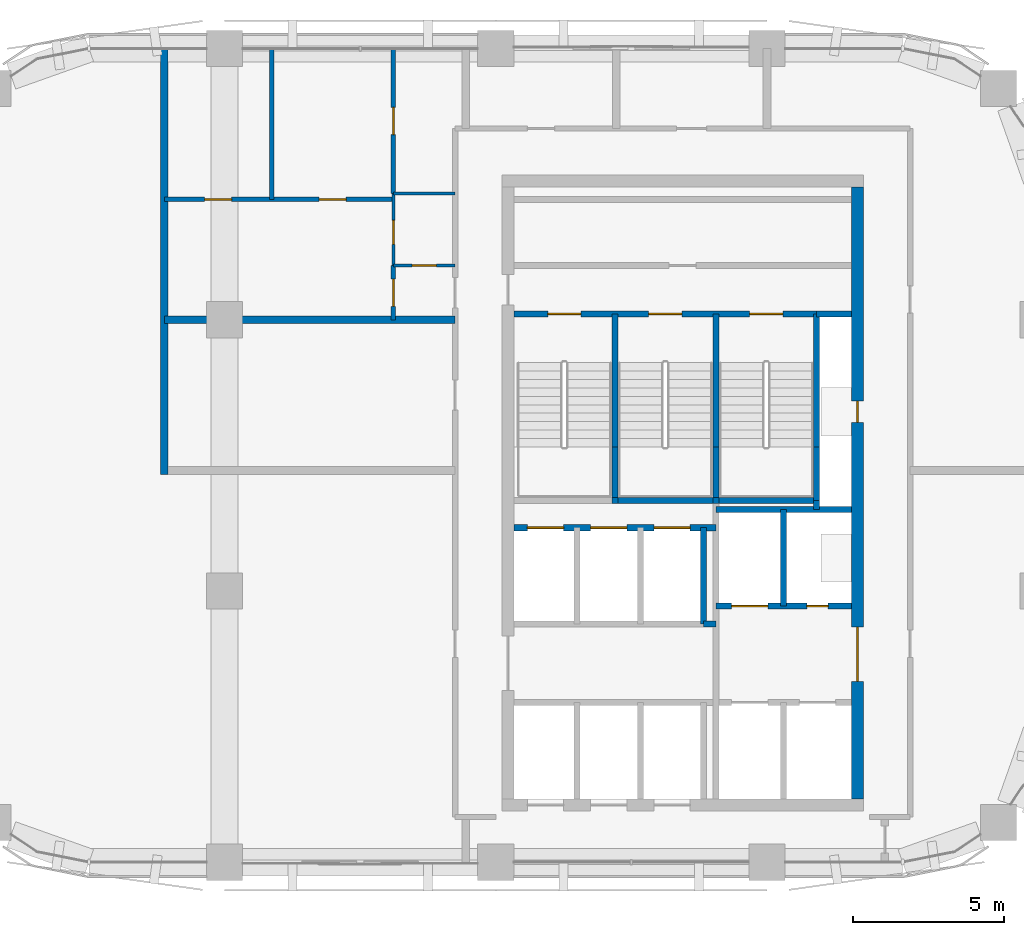
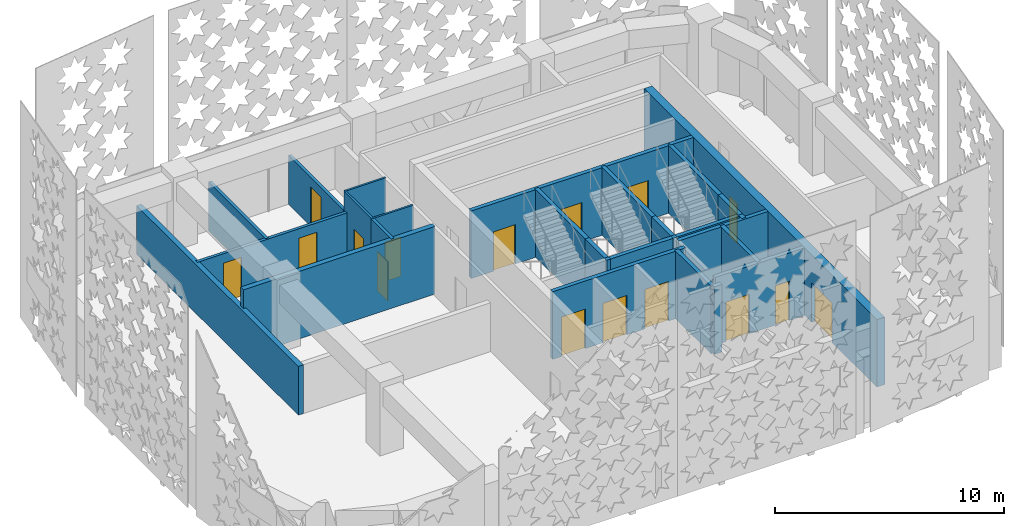
# One storey, part 8 of 15: 29 walls, 16 doors, 16 openings.
"""IFC4 building model written with IfcOpenShell, lengths in metres."""

from ifc_helpers import new_model, si_unit, direction, frame, frame_2d, origin, place, context, subcontext, project, spatial, rectangle, extrude, material, layer, layer_set, type_object, element, fill, save


model = new_model("IFC4")

# Units and contexts
model_context = context("Model", 3, precision=1e-05, world=origin(), true_north=direction((0.0, 1.0)))
body_context = subcontext(model_context, "Body", "Model", "MODEL_VIEW")
ifc_project = project(units=[si_unit("LENGTHUNIT", "METRE"), si_unit("AREAUNIT", "SQUARE_METRE"), si_unit("VOLUMEUNIT", "CUBIC_METRE"), si_unit("PLANEANGLEUNIT", "RADIAN"), si_unit("MASSUNIT", "GRAM", prefix="KILO")], contexts=[model_context])

# Site, building, storey
site_placement = place(None, origin())
site = spatial("IfcSite", under=ifc_project, at=site_placement, CompositionType="ELEMENT")
building_placement = place(site_placement, origin())
building = spatial("IfcBuilding", under=site, at=building_placement, Name="Tessera Arch", CompositionType="ELEMENT")
storey_placement = place(building_placement, frame((0.0, 0.0, 257.89990234375)))
storey = spatial("IfcBuildingStorey", under=building, at=storey_placement, Name="L62", CompositionType="ELEMENT", Elevation=257.89990234375)

# Wall
ifc_material_1 = material(Name="Gypsum board on steel stud", Category="steel")
ifc_layer_1 = layer(ifc_material_1, 0.125)
ifc_layer_set_1 = layer_set([ifc_layer_1], Name="Core partition 125 EI 60")
wall_type_1 = type_object("IfcWallType", Name="Core partition 125 EI 60", PredefinedType="PARTITIONING", material=ifc_layer_set_1)
wall_1_placement = place(storey_placement, frame((42.89990234375, 34.89990234375, 0.0), z_axis=(0.0, 0.0, 1.0), x_axis=(1.0, 0.0, 0.0)))
element("IfcWall", 1, at=wall_1_placement, inside=storey, type_object=wall_type_1, Name="L62 C1 partition wall 18", PredefinedType="PARTITIONING", context=body_context, shape_type="SweptSolid", body=[
    extrude(rectangle(XDim=0.400146484375, YDim=0.199951171875, at=frame_2d((0.2001953125, 0.0))), origin(), (0.0, 0.0, 1.0), 3.60009765625),
])

# Wall, openings, doors
ifc_material_2 = material(Name="Concrete C50/60", Category="concrete")
ifc_layer_2 = layer(ifc_material_2, 0.39990234375)
ifc_layer_set_2 = layer_set([ifc_layer_2], Name="Core shell wall 400 C50-60")
wall_type_2 = type_object("IfcWallType", Name="Core shell wall 400 C50-60", PredefinedType="SHEAR", material=ifc_layer_set_2)
wall_2_placement = place(storey_placement, frame((48.0, 29.10009765625, 0.0), z_axis=(0.0, 0.0, 1.0), x_axis=(0.0, 1.0, 0.0)))
wall_2 = element("IfcWall", 2, at=wall_2_placement, inside=storey, type_object=wall_type_2, Name="L62 C1 core wall E", PredefinedType="SHEAR", context=body_context, shape_type="SweptSolid", body=[
    extrude(rectangle(XDim=20.2998046875, YDim=0.39990234375, at=frame_2d((10.14990234375, 0.0))), origin(), (0.0, 0.0, 1.0), 3.60009765625),
])
opening_1_placement = place(wall_2_placement, frame((12.5, 0.0, 0.0)))
opening_1 = element("IfcOpeningElement", 3, at=opening_1_placement, cuts=wall_2, Name="Opening L62-C14", PredefinedType="OPENING", context=body_context, shape_type="SweptSolid", body=[
    extrude(rectangle(XDim=0.699951171875, YDim=2.10009765625, at=frame_2d((0.35009765625, 1.050048828125))), frame((0.0, 0.2099609375, 0.0), z_axis=(0.0, -1.0, 0.0), x_axis=(1.0, 0.0, 0.0)), (0.0, 0.0, 1.0), 0.419921875),
])
opening_2_placement = place(wall_2_placement, frame((3.89990234375, 0.0, 0.0)))
opening_2 = element("IfcOpeningElement", 4, at=opening_2_placement, cuts=wall_2, Name="Opening L62-C15", PredefinedType="OPENING", context=body_context, shape_type="SweptSolid", body=[
    extrude(rectangle(XDim=1.800048828125, YDim=2.10009765625, at=frame_2d((0.89990234375, 1.050048828125))), frame((0.0, 0.2099609375, 0.0), z_axis=(0.0, -1.0, 0.0), x_axis=(1.0, 0.0, 0.0)), (0.0, 0.0, 1.0), 0.419921875),
])
ifc_material_3 = material(Name="Glazed steel door leaf", Category="steel")
door_type_1 = type_object("IfcDoorType", Name="Lobby double door FD60 1800 x 2100", OperationType="DOUBLE_DOOR_SINGLE_SWING", PredefinedType="DOOR", material=ifc_material_3)
door_1_placement = place(opening_2_placement, origin())
door_1 = element("IfcDoor", 5, at=door_1_placement, inside=storey, type_object=door_type_1, Name="L62 C1 door 15 C15 type D19", OperationType="DOUBLE_DOOR_SINGLE_SWING", OverallHeight=2.10009765625, OverallWidth=1.800048828125, PredefinedType="DOOR", context=body_context, shape_type="SweptSolid", body=[
    extrude(rectangle(XDim=1.800048828125, YDim=2.10009765625, at=frame_2d((0.89990234375, 1.050048828125))), frame((0.0, 0.02490234375, 0.0), z_axis=(0.0, -1.0, 0.0), x_axis=(1.0, 0.0, 0.0)), (0.0, 0.0, 1.0), 0.050048828125),
])
fill(opening_2, door_1)
ifc_material_4 = material(Name="Steel door leaf", Category="steel")
door_type_2 = type_object("IfcDoorType", Name="Service shaft door FD60 700 x 2100", OperationType="SINGLE_SWING_LEFT", PredefinedType="DOOR", material=ifc_material_4)
door_2_placement = place(opening_1_placement, origin())
door_2 = element("IfcDoor", 6, at=door_2_placement, inside=storey, type_object=door_type_2, Name="L62 C1 door 14 C14 type D07", OperationType="SINGLE_SWING_RIGHT", OverallHeight=2.10009765625, OverallWidth=0.699951171875, PredefinedType="DOOR", context=body_context, shape_type="SweptSolid", body=[
    extrude(rectangle(XDim=0.699951171875, YDim=2.10009765625, at=frame_2d((0.35009765625, 1.050048828125))), frame((0.0, 0.02490234375, 0.0), z_axis=(0.0, -1.0, 0.0), x_axis=(1.0, 0.0, 0.0)), (0.0, 0.0, 1.0), 0.050048828125),
])
fill(opening_1, door_2)

ifc_material_5 = material(Name="Gypsum board on steel stud", Category="steel")
ifc_layer_3 = layer(ifc_material_5, 0.14990234375)
ifc_layer_set_3 = layer_set([ifc_layer_3], Name="Partition 150")
wall_type_3 = type_object("IfcWallType", Name="Partition 150", PredefinedType="PARTITIONING", material=ifc_layer_set_3)
wall_3_placement = place(storey_placement, frame((25.0, 49.0, 0.0), z_axis=(0.0, 0.0, 1.0), x_axis=(1.0, 0.0, 0.0)))
wall_3 = element("IfcWall", 7, at=wall_3_placement, inside=storey, type_object=wall_type_3, Name="L62 partition 6", PredefinedType="PARTITIONING", context=body_context, shape_type="SweptSolid", body=[
    extrude(rectangle(XDim=7.60009765625, YDim=0.14990234375, at=frame_2d((3.800048828125, 0.0))), origin(), (0.0, 0.0, 1.0), 2.60009765625),
])
opening_3_placement = place(wall_3_placement, frame((5.135986328125, 0.0, 0.0)))
opening_3 = element("IfcOpeningElement", 8, at=opening_3_placement, cuts=wall_3, Name="Opening L62-D010", PredefinedType="OPENING", context=body_context, shape_type="SweptSolid", body=[
    extrude(rectangle(XDim=0.89990234375, YDim=2.10009765625, at=frame_2d((0.449951171875, 1.050048828125))), frame((0.0, 0.0849609375, 0.0), z_axis=(0.0, -1.0, 0.0), x_axis=(1.0, 0.0, 0.0)), (0.0, 0.0, 1.0), 0.169921875),
])
opening_4_placement = place(wall_3_placement, frame((1.3359375, 0.0, 0.0)))
opening_4 = element("IfcOpeningElement", 9, at=opening_4_placement, cuts=wall_3, Name="Opening L62-D011", PredefinedType="OPENING", context=body_context, shape_type="SweptSolid", body=[
    extrude(rectangle(XDim=0.89990234375, YDim=2.10009765625, at=frame_2d((0.449951171875, 1.050048828125))), frame((0.0, 0.0849609375, 0.0), z_axis=(0.0, -1.0, 0.0), x_axis=(1.0, 0.0, 0.0)), (0.0, 0.0, 1.0), 0.169921875),
])
ifc_material_6 = material(Name="Timber door leaf", Category="wood")
door_type_3 = type_object("IfcDoorType", Name="Room door 900 x 2100", OperationType="SINGLE_SWING_LEFT", PredefinedType="DOOR", material=ifc_material_6)
door_3_placement = place(opening_3_placement, origin())
door_3 = element("IfcDoor", 10, at=door_3_placement, inside=storey, type_object=door_type_3, Name="L62 door D010 type D01", OperationType="SINGLE_SWING_RIGHT", OverallHeight=2.10009765625, OverallWidth=0.89990234375, PredefinedType="DOOR", context=body_context, shape_type="SweptSolid", body=[
    extrude(rectangle(XDim=0.89990234375, YDim=2.10009765625, at=frame_2d((0.449951171875, 1.050048828125))), frame((0.0, 0.02490234375, 0.0), z_axis=(0.0, -1.0, 0.0), x_axis=(1.0, 0.0, 0.0)), (0.0, 0.0, 1.0), 0.050048828125),
])
fill(opening_3, door_3)
door_4_placement = place(opening_4_placement, origin())
door_4 = element("IfcDoor", 11, at=door_4_placement, inside=storey, type_object=door_type_3, Name="L62 door D011 type D01", OperationType="SINGLE_SWING_RIGHT", OverallHeight=2.10009765625, OverallWidth=0.89990234375, PredefinedType="DOOR", context=body_context, shape_type="SweptSolid", body=[
    extrude(rectangle(XDim=0.89990234375, YDim=2.10009765625, at=frame_2d((0.449951171875, 1.050048828125))), frame((0.0, 0.02490234375, 0.0), z_axis=(0.0, -1.0, 0.0), x_axis=(1.0, 0.0, 0.0)), (0.0, 0.0, 1.0), 0.050048828125),
])
fill(opening_4, door_4)

# Wall
wall_4_placement = place(storey_placement, frame((28.572021484375, 49.0, 0.0), z_axis=(0.0, 0.0, 1.0), x_axis=(0.0, 1.0, 0.0)))
element("IfcWall", 12, at=wall_4_placement, inside=storey, type_object=wall_type_3, Name="L62 partition 7", PredefinedType="PARTITIONING", context=body_context, shape_type="SweptSolid", body=[
    extrude(rectangle(XDim=5.0, YDim=0.14990234375, at=frame_2d((2.5, 0.0))), origin(), (0.0, 0.0, 1.0), 2.60009765625),
])

# Wall, opening, door
wall_5_placement = place(storey_placement, frame((32.60009765625, 45.0, 0.0), z_axis=(0.0, 0.0, 1.0), x_axis=(0.0, 1.0, 0.0)))
wall_5 = element("IfcWall", 13, at=wall_5_placement, inside=storey, type_object=wall_type_3, Name="L62 partition 8", PredefinedType="PARTITIONING", context=body_context, shape_type="SweptSolid", body=[
    extrude(rectangle(XDim=1.800048828125, YDim=0.14990234375, at=frame_2d((0.89990234375, 0.0))), origin(), (0.0, 0.0, 1.0), 3.60009765625),
])
opening_5_placement = place(wall_5_placement, frame((0.449951171875, 0.0, 0.0)))
opening_5 = element("IfcOpeningElement", 14, at=opening_5_placement, cuts=wall_5, Name="Opening L62-D006", PredefinedType="OPENING", context=body_context, shape_type="SweptSolid", body=[
    extrude(rectangle(XDim=0.89990234375, YDim=2.10009765625, at=frame_2d((0.449951171875, 1.050048828125))), frame((0.0, 0.0849609375, 0.0), z_axis=(0.0, -1.0, 0.0), x_axis=(1.0, 0.0, 0.0)), (0.0, 0.0, 1.0), 0.169921875),
])
door_5_placement = place(opening_5_placement, origin())
door_5 = element("IfcDoor", 15, at=door_5_placement, inside=storey, type_object=door_type_3, Name="L62 door D006 type D01", OperationType="SINGLE_SWING_LEFT", OverallHeight=2.10009765625, OverallWidth=0.89990234375, PredefinedType="DOOR", context=body_context, shape_type="SweptSolid", body=[
    extrude(rectangle(XDim=0.89990234375, YDim=2.10009765625, at=frame_2d((0.449951171875, 1.050048828125))), frame((0.0, 0.02490234375, 0.0), z_axis=(0.0, -1.0, 0.0), x_axis=(1.0, 0.0, 0.0)), (0.0, 0.0, 1.0), 0.050048828125),
])
fill(opening_5, door_5)

wall_6_placement = place(storey_placement, frame((32.60009765625, 49.199951171875, 0.0), z_axis=(0.0, 0.0, 1.0), x_axis=(0.0, 1.0, 0.0)))
wall_6 = element("IfcWall", 16, at=wall_6_placement, inside=storey, type_object=wall_type_3, Name="L62 partition 9", PredefinedType="PARTITIONING", context=body_context, shape_type="SweptSolid", body=[
    extrude(rectangle(XDim=4.800048828125, YDim=0.14990234375, at=frame_2d((2.39990234375, 0.0))), origin(), (0.0, 0.0, 1.0), 2.60009765625),
])
opening_6_placement = place(wall_6_placement, frame((1.949951171875, 0.0, 0.0)))
opening_6 = element("IfcOpeningElement", 17, at=opening_6_placement, cuts=wall_6, Name="Opening L62-D009", PredefinedType="OPENING", context=body_context, shape_type="SweptSolid", body=[
    extrude(rectangle(XDim=0.89990234375, YDim=2.10009765625, at=frame_2d((0.449951171875, 1.050048828125))), frame((0.0, 0.0849609375, 0.0), z_axis=(0.0, -1.0, 0.0), x_axis=(1.0, 0.0, 0.0)), (0.0, 0.0, 1.0), 0.169921875),
])
door_6_placement = place(opening_6_placement, origin())
door_6 = element("IfcDoor", 18, at=door_6_placement, inside=storey, type_object=door_type_3, Name="L62 door D009 type D01", OperationType="SINGLE_SWING_LEFT", OverallHeight=2.10009765625, OverallWidth=0.89990234375, PredefinedType="DOOR", context=body_context, shape_type="SweptSolid", body=[
    extrude(rectangle(XDim=0.89990234375, YDim=2.10009765625, at=frame_2d((0.449951171875, 1.050048828125))), frame((0.0, 0.02490234375, 0.0), z_axis=(0.0, -1.0, 0.0), x_axis=(1.0, 0.0, 0.0)), (0.0, 0.0, 1.0), 0.050048828125),
])
fill(opening_6, door_6)

# Walls
ifc_material_7 = material(Name="Double gypsum board on twin steel stud with acoustic mineral wool", Category="steel")
ifc_layer_4 = layer(ifc_material_7, 0.25)
ifc_layer_set_4 = layer_set([ifc_layer_4], Name="Party wall 250 EI 60")
wall_type_4 = type_object("IfcWallType", Name="Party wall 250 EI 60", PredefinedType="PARTITIONING", material=ifc_layer_set_4)
wall_7_placement = place(storey_placement, frame((25.0, 45.0, 0.0), z_axis=(0.0, 0.0, 1.0), x_axis=(1.0, 0.0, 0.0)))
element("IfcWall", 19, at=wall_7_placement, inside=storey, type_object=wall_type_4, Name="L62 partition 12", PredefinedType="PARTITIONING", context=body_context, shape_type="SweptSolid", body=[
    extrude(rectangle(XDim=9.64990234375, YDim=0.25, at=frame_2d((4.824951171875, 0.0))), origin(), (0.0, 0.0, 1.0), 3.60009765625),
])
wall_8_placement = place(storey_placement, frame((25.0, 39.875, 0.0), z_axis=(0.0, 0.0, 1.0), x_axis=(0.0, 1.0, 0.0)))
element("IfcWall", 20, at=wall_8_placement, inside=storey, type_object=wall_type_4, Name="L62 partition 13", PredefinedType="PARTITIONING", context=body_context, shape_type="SweptSolid", body=[
    extrude(rectangle(XDim=14.125, YDim=0.25, at=frame_2d((7.0625, 0.0))), origin(), (0.0, 0.0, 1.0), 2.60009765625),
])
ifc_material_8 = material(Name="Concrete C40/50", Category="concrete")
ifc_layer_5 = layer(ifc_material_8, 0.199951171875)
ifc_layer_set_5 = layer_set([ifc_layer_5], Name="Shaft wall 200 EI 120")
wall_type_5 = type_object("IfcWallType", Name="Shaft wall 200 EI 120", PredefinedType="SOLIDWALL", material=ifc_layer_set_5)
wall_9_placement = place(storey_placement, frame((42.89990234375, 34.89990234375, 0.0), z_axis=(0.0, 0.0, 1.0), x_axis=(0.0, 1.0, 0.0)))
element("IfcWall", 21, at=wall_9_placement, inside=storey, type_object=wall_type_5, Name="L62 C1 shaft wall 8", PredefinedType="SOLIDWALL", context=body_context, shape_type="SweptSolid", body=[
    extrude(rectangle(XDim=3.2001953125, YDim=0.199951171875, at=frame_2d((1.60009765625, 0.0))), origin(), (0.0, 0.0, 1.0), 3.60009765625),
])
wall_10_placement = place(storey_placement, frame((45.550048828125, 35.5, 0.0), z_axis=(0.0, 0.0, 1.0), x_axis=(0.0, 1.0, 0.0)))
element("IfcWall", 22, at=wall_10_placement, inside=storey, type_object=wall_type_5, Name="L62 C1 shaft wall 13", PredefinedType="SOLIDWALL", context=body_context, shape_type="SweptSolid", body=[
    extrude(rectangle(XDim=3.199951171875, YDim=0.199951171875, at=frame_2d((1.60009765625, 0.0))), origin(), (0.0, 0.0, 1.0), 3.60009765625),
])
wall_11_placement = place(storey_placement, frame((46.64990234375, 38.699951171875, 0.0), z_axis=(0.0, 0.0, 1.0), x_axis=(0.0, 1.0, 0.0)))
element("IfcWall", 23, at=wall_11_placement, inside=storey, type_object=wall_type_5, Name="L62 C1 shaft wall 14", PredefinedType="SOLIDWALL", context=body_context, shape_type="SweptSolid", body=[
    extrude(rectangle(XDim=0.300048828125, YDim=0.199951171875, at=frame_2d((0.14990234375, 0.0))), origin(), (0.0, 0.0, 1.0), 3.60009765625),
])

# Wall, openings, doors
wall_12_placement = place(storey_placement, frame((43.300048828125, 35.5, 0.0), z_axis=(0.0, 0.0, 1.0), x_axis=(1.0, 0.0, 0.0)))
wall_12 = element("IfcWall", 24, at=wall_12_placement, inside=storey, type_object=wall_type_5, Name="L62 C1 shaft wall 20", PredefinedType="SOLIDWALL", context=body_context, shape_type="SweptSolid", body=[
    extrude(rectangle(XDim=4.5, YDim=0.199951171875, at=frame_2d((2.25, 0.0))), origin(), (0.0, 0.0, 1.0), 3.60009765625),
])
opening_7_placement = place(wall_12_placement, frame((0.52490234375, 0.0, 0.0)))
opening_7 = element("IfcOpeningElement", 25, at=opening_7_placement, cuts=wall_12, Name="Opening L62-C09", PredefinedType="OPENING", context=body_context, shape_type="SweptSolid", body=[
    extrude(rectangle(XDim=1.199951171875, YDim=2.10009765625, at=frame_2d((0.60009765625, 1.050048828125))), frame((0.0, 0.10986328125, 0.0), z_axis=(0.0, -1.0, 0.0), x_axis=(1.0, 0.0, 0.0)), (0.0, 0.0, 1.0), 0.219970703125),
])
opening_8_placement = place(wall_12_placement, frame((3.02490234375, 0.0, 0.0)))
opening_8 = element("IfcOpeningElement", 26, at=opening_8_placement, cuts=wall_12, Name="Opening L62-C16", PredefinedType="OPENING", context=body_context, shape_type="SweptSolid", body=[
    extrude(rectangle(XDim=0.699951171875, YDim=2.10009765625, at=frame_2d((0.35009765625, 1.050048828125))), frame((0.0, 0.10986328125, 0.0), z_axis=(0.0, -1.0, 0.0), x_axis=(1.0, 0.0, 0.0)), (0.0, 0.0, 1.0), 0.219970703125),
])
door_7_placement = place(opening_8_placement, origin())
door_7 = element("IfcDoor", 27, at=door_7_placement, inside=storey, type_object=door_type_2, Name="L62 C1 door 16 C16 type D07", OperationType="SINGLE_SWING_RIGHT", OverallHeight=2.10009765625, OverallWidth=0.699951171875, PredefinedType="DOOR", context=body_context, shape_type="SweptSolid", body=[
    extrude(rectangle(XDim=0.699951171875, YDim=2.10009765625, at=frame_2d((0.35009765625, 1.050048828125))), frame((0.0, 0.02490234375, 0.0), z_axis=(0.0, -1.0, 0.0), x_axis=(1.0, 0.0, 0.0)), (0.0, 0.0, 1.0), 0.050048828125),
])
fill(opening_8, door_7)
ifc_material_9 = material(Name="Stainless steel AISI 304", Category="steel")
door_type_4 = type_object("IfcDoorType", Name="Sliding landing door 1200 x 2100", OperationType="SLIDING_TO_LEFT", PredefinedType="DOOR", material=ifc_material_9)
door_8_placement = place(opening_7_placement, origin())
door_8 = element("IfcDoor", 28, at=door_8_placement, inside=storey, type_object=door_type_4, Name="L62 SV2 lift landing door C09 type LD", OperationType="SLIDING_TO_LEFT", OverallHeight=2.10009765625, OverallWidth=1.199951171875, PredefinedType="DOOR", context=body_context, shape_type="SweptSolid", body=[
    extrude(rectangle(XDim=1.199951171875, YDim=2.10009765625, at=frame_2d((0.60009765625, 1.050048828125))), frame((0.0, 0.02490234375, 0.0), z_axis=(0.0, -1.0, 0.0), x_axis=(1.0, 0.0, 0.0)), (0.0, 0.0, 1.0), 0.050048828125),
])
fill(opening_7, door_8)

wall_13_placement = place(storey_placement, frame((36.60009765625, 38.10009765625, 0.0), z_axis=(0.0, 0.0, 1.0), x_axis=(1.0, 0.0, 0.0)))
wall_13 = element("IfcWall", 29, at=wall_13_placement, inside=storey, type_object=wall_type_5, Name="L62 C1 shaft wall 21", PredefinedType="SOLIDWALL", context=body_context, shape_type="SweptSolid", body=[
    extrude(rectangle(XDim=6.699951171875, YDim=0.199951171875, at=frame_2d((3.35009765625, 0.0))), origin(), (0.0, 0.0, 1.0), 3.60009765625),
])
opening_9_placement = place(wall_13_placement, frame((0.449951171875, 0.0, 0.0)))
opening_9 = element("IfcOpeningElement", 30, at=opening_9_placement, cuts=wall_13, Name="Opening L62-C02", PredefinedType="OPENING", context=body_context, shape_type="SweptSolid", body=[
    extrude(rectangle(XDim=1.199951171875, YDim=2.10009765625, at=frame_2d((0.60009765625, 1.050048828125))), frame((0.0, 0.10986328125, 0.0), z_axis=(0.0, -1.0, 0.0), x_axis=(1.0, 0.0, 0.0)), (0.0, 0.0, 1.0), 0.219970703125),
])
opening_10_placement = place(wall_13_placement, frame((2.550048828125, 0.0, 0.0)))
opening_10 = element("IfcOpeningElement", 31, at=opening_10_placement, cuts=wall_13, Name="Opening L62-C04", PredefinedType="OPENING", context=body_context, shape_type="SweptSolid", body=[
    extrude(rectangle(XDim=1.199951171875, YDim=2.10009765625, at=frame_2d((0.60009765625, 1.050048828125))), frame((0.0, 0.10986328125, 0.0), z_axis=(0.0, -1.0, 0.0), x_axis=(1.0, 0.0, 0.0)), (0.0, 0.0, 1.0), 0.219970703125),
])
opening_11_placement = place(wall_13_placement, frame((4.64990234375, 0.0, 0.0)))
opening_11 = element("IfcOpeningElement", 32, at=opening_11_placement, cuts=wall_13, Name="Opening L62-C06", PredefinedType="OPENING", context=body_context, shape_type="SweptSolid", body=[
    extrude(rectangle(XDim=1.199951171875, YDim=2.10009765625, at=frame_2d((0.60009765625, 1.050048828125))), frame((0.0, 0.10986328125, 0.0), z_axis=(0.0, -1.0, 0.0), x_axis=(1.0, 0.0, 0.0)), (0.0, 0.0, 1.0), 0.219970703125),
])
door_9_placement = place(opening_9_placement, origin())
door_9 = element("IfcDoor", 33, at=door_9_placement, inside=storey, type_object=door_type_4, Name="L62 HR4 lift landing door C02 type LD", OperationType="SLIDING_TO_LEFT", OverallHeight=2.10009765625, OverallWidth=1.199951171875, PredefinedType="DOOR", context=body_context, shape_type="SweptSolid", body=[
    extrude(rectangle(XDim=1.199951171875, YDim=2.10009765625, at=frame_2d((0.60009765625, 1.050048828125))), frame((0.0, 0.02490234375, 0.0), z_axis=(0.0, -1.0, 0.0), x_axis=(1.0, 0.0, 0.0)), (0.0, 0.0, 1.0), 0.050048828125),
])
fill(opening_9, door_9)
door_10_placement = place(opening_10_placement, origin())
door_10 = element("IfcDoor", 34, at=door_10_placement, inside=storey, type_object=door_type_4, Name="L62 HR5 lift landing door C04 type LD", OperationType="SLIDING_TO_LEFT", OverallHeight=2.10009765625, OverallWidth=1.199951171875, PredefinedType="DOOR", context=body_context, shape_type="SweptSolid", body=[
    extrude(rectangle(XDim=1.199951171875, YDim=2.10009765625, at=frame_2d((0.60009765625, 1.050048828125))), frame((0.0, 0.02490234375, 0.0), z_axis=(0.0, -1.0, 0.0), x_axis=(1.0, 0.0, 0.0)), (0.0, 0.0, 1.0), 0.050048828125),
])
fill(opening_10, door_10)
door_11_placement = place(opening_11_placement, origin())
door_11 = element("IfcDoor", 35, at=door_11_placement, inside=storey, type_object=door_type_4, Name="L62 HR6 lift landing door C06 type LD", OperationType="SLIDING_TO_LEFT", OverallHeight=2.10009765625, OverallWidth=1.199951171875, PredefinedType="DOOR", context=body_context, shape_type="SweptSolid", body=[
    extrude(rectangle(XDim=1.199951171875, YDim=2.10009765625, at=frame_2d((0.60009765625, 1.050048828125))), frame((0.0, 0.02490234375, 0.0), z_axis=(0.0, -1.0, 0.0), x_axis=(1.0, 0.0, 0.0)), (0.0, 0.0, 1.0), 0.050048828125),
])
fill(opening_11, door_11)

# Walls
wall_14_placement = place(storey_placement, frame((43.300048828125, 38.699951171875, 0.0), z_axis=(0.0, 0.0, 1.0), x_axis=(1.0, 0.0, 0.0)))
element("IfcWall", 36, at=wall_14_placement, inside=storey, type_object=wall_type_5, Name="L62 C1 shaft wall 22", PredefinedType="SOLIDWALL", context=body_context, shape_type="SweptSolid", body=[
    extrude(rectangle(XDim=4.5, YDim=0.199951171875, at=frame_2d((2.25, 0.0))), origin(), (0.0, 0.0, 1.0), 3.60009765625),
])
wall_15_placement = place(storey_placement, frame((46.64990234375, 45.199951171875, 0.0), z_axis=(0.0, 0.0, 1.0), x_axis=(1.0, 0.0, 0.0)))
element("IfcWall", 37, at=wall_15_placement, inside=storey, type_object=wall_type_5, Name="L62 C1 shaft wall 28", PredefinedType="SOLIDWALL", context=body_context, shape_type="SweptSolid", body=[
    extrude(rectangle(XDim=1.150146484375, YDim=0.199951171875, at=frame_2d((0.5751953125, 0.0))), origin(), (0.0, 0.0, 1.0), 3.60009765625),
])
ifc_material_10 = material(Name="Concrete C40/50", Category="concrete")
ifc_layer_6 = layer(ifc_material_10, 0.199951171875)
ifc_layer_set_6 = layer_set([ifc_layer_6], Name="Stair well wall 200 REI 180")
wall_type_6 = type_object("IfcWallType", Name="Stair well wall 200 REI 180", PredefinedType="SOLIDWALL", material=ifc_layer_set_6)
wall_16_placement = place(storey_placement, frame((39.949951171875, 39.0, 0.0), z_axis=(0.0, 0.0, 1.0), x_axis=(0.0, 1.0, 0.0)))
element("IfcWall", 38, at=wall_16_placement, inside=storey, type_object=wall_type_6, Name="L62 C1 shaft wall 3", PredefinedType="SOLIDWALL", context=body_context, shape_type="SweptSolid", body=[
    extrude(rectangle(XDim=1.780029296875, YDim=0.199951171875, at=frame_2d((0.89013671875, 0.0))), origin(), (0.0, 0.0, 1.0), 3.60009765625),
])
wall_17_placement = place(storey_placement, frame((39.949951171875, 40.780029296875, 0.0), z_axis=(0.0, 0.0, 1.0), x_axis=(0.0, 1.0, 0.0)))
element("IfcWall", 39, at=wall_17_placement, inside=storey, type_object=wall_type_6, Name="L62 C1 shaft wall 4", PredefinedType="SOLIDWALL", context=body_context, shape_type="SweptSolid", body=[
    extrude(rectangle(XDim=4.419921875, YDim=0.199951171875, at=frame_2d((2.2099609375, 0.0))), origin(), (0.0, 0.0, 1.0), 3.60009765625),
])
wall_18_placement = place(storey_placement, frame((43.300048828125, 39.0, 0.0), z_axis=(0.0, 0.0, 1.0), x_axis=(0.0, 1.0, 0.0)))
element("IfcWall", 40, at=wall_18_placement, inside=storey, type_object=wall_type_6, Name="L62 C1 shaft wall 10", PredefinedType="SOLIDWALL", context=body_context, shape_type="SweptSolid", body=[
    extrude(rectangle(XDim=1.780029296875, YDim=0.199951171875, at=frame_2d((0.89013671875, 0.0))), origin(), (0.0, 0.0, 1.0), 3.60009765625),
])
wall_19_placement = place(storey_placement, frame((43.300048828125, 40.780029296875, 0.0), z_axis=(0.0, 0.0, 1.0), x_axis=(0.0, 1.0, 0.0)))
element("IfcWall", 41, at=wall_19_placement, inside=storey, type_object=wall_type_6, Name="L62 C1 shaft wall 11", PredefinedType="SOLIDWALL", context=body_context, shape_type="SweptSolid", body=[
    extrude(rectangle(XDim=4.419921875, YDim=0.199951171875, at=frame_2d((2.2099609375, 0.0))), origin(), (0.0, 0.0, 1.0), 3.60009765625),
])
wall_20_placement = place(storey_placement, frame((46.64990234375, 39.0, 0.0), z_axis=(0.0, 0.0, 1.0), x_axis=(0.0, 1.0, 0.0)))
element("IfcWall", 42, at=wall_20_placement, inside=storey, type_object=wall_type_6, Name="L62 C1 shaft wall 15", PredefinedType="SOLIDWALL", context=body_context, shape_type="SweptSolid", body=[
    extrude(rectangle(XDim=1.780029296875, YDim=0.199951171875, at=frame_2d((0.89013671875, 0.0))), origin(), (0.0, 0.0, 1.0), 3.60009765625),
])
wall_21_placement = place(storey_placement, frame((46.64990234375, 40.780029296875, 0.0), z_axis=(0.0, 0.0, 1.0), x_axis=(0.0, 1.0, 0.0)))
element("IfcWall", 43, at=wall_21_placement, inside=storey, type_object=wall_type_6, Name="L62 C1 shaft wall 16", PredefinedType="SOLIDWALL", context=body_context, shape_type="SweptSolid", body=[
    extrude(rectangle(XDim=4.419921875, YDim=0.199951171875, at=frame_2d((2.2099609375, 0.0))), origin(), (0.0, 0.0, 1.0), 3.60009765625),
])
wall_22_placement = place(storey_placement, frame((39.85009765625, 39.0, 0.0), z_axis=(0.0, 0.0, 1.0), x_axis=(1.0, 0.0, 0.0)))
element("IfcWall", 44, at=wall_22_placement, inside=storey, type_object=wall_type_6, Name="L62 C1 shaft wall 24", PredefinedType="SOLIDWALL", context=body_context, shape_type="SweptSolid", body=[
    extrude(rectangle(XDim=0.199951171875, YDim=0.199951171875, at=frame_2d((0.10009765625, 0.0))), origin(), (0.0, 0.0, 1.0), 3.60009765625),
])
wall_23_placement = place(storey_placement, frame((40.050048828125, 39.0, 0.0), z_axis=(0.0, 0.0, 1.0), x_axis=(1.0, 0.0, 0.0)))
element("IfcWall", 45, at=wall_23_placement, inside=storey, type_object=wall_type_6, Name="L62 C1 shaft wall 25", PredefinedType="SOLIDWALL", context=body_context, shape_type="SweptSolid", body=[
    extrude(rectangle(XDim=3.14990234375, YDim=0.199951171875, at=frame_2d((1.574951171875, 0.0))), origin(), (0.0, 0.0, 1.0), 3.60009765625),
])
wall_24_placement = place(storey_placement, frame((43.199951171875, 39.0, 0.0), z_axis=(0.0, 0.0, 1.0), x_axis=(1.0, 0.0, 0.0)))
element("IfcWall", 46, at=wall_24_placement, inside=storey, type_object=wall_type_6, Name="L62 C1 shaft wall 26", PredefinedType="SOLIDWALL", context=body_context, shape_type="SweptSolid", body=[
    extrude(rectangle(XDim=0.199951171875, YDim=0.199951171875, at=frame_2d((0.10009765625, 0.0))), origin(), (0.0, 0.0, 1.0), 3.60009765625),
])
wall_25_placement = place(storey_placement, frame((43.39990234375, 39.0, 0.0), z_axis=(0.0, 0.0, 1.0), x_axis=(1.0, 0.0, 0.0)))
element("IfcWall", 47, at=wall_25_placement, inside=storey, type_object=wall_type_6, Name="L62 C1 shaft wall 27", PredefinedType="SOLIDWALL", context=body_context, shape_type="SweptSolid", body=[
    extrude(rectangle(XDim=3.25, YDim=0.199951171875, at=frame_2d((1.625, 0.0))), origin(), (0.0, 0.0, 1.0), 3.60009765625),
])

# Wall, openings, doors
wall_26_placement = place(storey_placement, frame((36.60009765625, 45.199951171875, 0.0), z_axis=(0.0, 0.0, 1.0), x_axis=(1.0, 0.0, 0.0)))
wall_26 = element("IfcWall", 48, at=wall_26_placement, inside=storey, type_object=wall_type_6, Name="L62 C1 shaft wall 29", PredefinedType="SOLIDWALL", context=body_context, shape_type="SweptSolid", body=[
    extrude(rectangle(XDim=10.0498046875, YDim=0.199951171875, at=frame_2d((5.02490234375, 0.0))), origin(), (0.0, 0.0, 1.0), 3.60009765625),
])
opening_12_placement = place(wall_26_placement, frame((1.125, 0.0, 0.0)))
opening_12 = element("IfcOpeningElement", 49, at=opening_12_placement, cuts=wall_26, Name="Opening L62-C11", PredefinedType="OPENING", context=body_context, shape_type="SweptSolid", body=[
    extrude(rectangle(XDim=1.10009765625, YDim=2.10009765625, at=frame_2d((0.550048828125, 1.050048828125))), frame((0.0, 0.10986328125, 0.0), z_axis=(0.0, -1.0, 0.0), x_axis=(1.0, 0.0, 0.0)), (0.0, 0.0, 1.0), 0.219970703125),
])
opening_13_placement = place(wall_26_placement, frame((4.47509765625, 0.0, 0.0)))
opening_13 = element("IfcOpeningElement", 50, at=opening_13_placement, cuts=wall_26, Name="Opening L62-C12", PredefinedType="OPENING", context=body_context, shape_type="SweptSolid", body=[
    extrude(rectangle(XDim=1.10009765625, YDim=2.10009765625, at=frame_2d((0.550048828125, 1.050048828125))), frame((0.0, 0.10986328125, 0.0), z_axis=(0.0, -1.0, 0.0), x_axis=(1.0, 0.0, 0.0)), (0.0, 0.0, 1.0), 0.219970703125),
])
opening_14_placement = place(wall_26_placement, frame((7.824951171875, 0.0, 0.0)))
opening_14 = element("IfcOpeningElement", 51, at=opening_14_placement, cuts=wall_26, Name="Opening L62-C13", PredefinedType="OPENING", context=body_context, shape_type="SweptSolid", body=[
    extrude(rectangle(XDim=1.10009765625, YDim=2.10009765625, at=frame_2d((0.550048828125, 1.050048828125))), frame((0.0, 0.10986328125, 0.0), z_axis=(0.0, -1.0, 0.0), x_axis=(1.0, 0.0, 0.0)), (0.0, 0.0, 1.0), 0.219970703125),
])
ifc_material_11 = material(Name="Steel door leaf", Category="steel")
door_type_5 = type_object("IfcDoorType", Name="Stair door FD60 1100 x 2100", OperationType="SINGLE_SWING_LEFT", PredefinedType="DOOR", material=ifc_material_11)
door_12_placement = place(opening_12_placement, origin())
door_12 = element("IfcDoor", 52, at=door_12_placement, inside=storey, type_object=door_type_5, Name="L62 C1 door 11 C11 type D05", OperationType="SINGLE_SWING_LEFT", OverallHeight=2.10009765625, OverallWidth=1.10009765625, PredefinedType="DOOR", context=body_context, shape_type="SweptSolid", body=[
    extrude(rectangle(XDim=1.10009765625, YDim=2.10009765625, at=frame_2d((0.550048828125, 1.050048828125))), frame((0.0, 0.02490234375, 0.0), z_axis=(0.0, -1.0, 0.0), x_axis=(1.0, 0.0, 0.0)), (0.0, 0.0, 1.0), 0.050048828125),
])
fill(opening_12, door_12)
door_13_placement = place(opening_13_placement, origin())
door_13 = element("IfcDoor", 53, at=door_13_placement, inside=storey, type_object=door_type_5, Name="L62 C1 door 12 C12 type D05", OperationType="SINGLE_SWING_RIGHT", OverallHeight=2.10009765625, OverallWidth=1.10009765625, PredefinedType="DOOR", context=body_context, shape_type="SweptSolid", body=[
    extrude(rectangle(XDim=1.10009765625, YDim=2.10009765625, at=frame_2d((0.550048828125, 1.050048828125))), frame((0.0, 0.02490234375, 0.0), z_axis=(0.0, -1.0, 0.0), x_axis=(1.0, 0.0, 0.0)), (0.0, 0.0, 1.0), 0.050048828125),
])
fill(opening_13, door_13)
door_14_placement = place(opening_14_placement, origin())
door_14 = element("IfcDoor", 54, at=door_14_placement, inside=storey, type_object=door_type_5, Name="L62 C1 door 13 C13 type D05", OperationType="SINGLE_SWING_RIGHT", OverallHeight=2.10009765625, OverallWidth=1.10009765625, PredefinedType="DOOR", context=body_context, shape_type="SweptSolid", body=[
    extrude(rectangle(XDim=1.10009765625, YDim=2.10009765625, at=frame_2d((0.550048828125, 1.050048828125))), frame((0.0, 0.02490234375, 0.0), z_axis=(0.0, -1.0, 0.0), x_axis=(1.0, 0.0, 0.0)), (0.0, 0.0, 1.0), 0.050048828125),
])
fill(opening_14, door_14)

# Wall, opening, door
ifc_material_12 = material(Name="Moisture-resistant board on pre-plumbed steel stud", Category="steel")
ifc_layer_7 = layer(ifc_material_12, 0.10009765625)
ifc_layer_set_7 = layer_set([ifc_layer_7], Name="Wet wall 100")
wall_type_7 = type_object("IfcWallType", Name="Wet wall 100", PredefinedType="PARTITIONING", material=ifc_layer_set_7)
wall_27_placement = place(storey_placement, frame((32.60009765625, 46.800048828125, 0.0), z_axis=(0.0, 0.0, 1.0), x_axis=(1.0, 0.0, 0.0)))
wall_27 = element("IfcWall", 55, at=wall_27_placement, inside=storey, type_object=wall_type_7, Name="L62 partition 19", PredefinedType="PARTITIONING", context=body_context, shape_type="SweptSolid", body=[
    extrude(rectangle(XDim=2.0498046875, YDim=0.10009765625, at=frame_2d((1.02490234375, 0.0))), origin(), (0.0, 0.0, 1.0), 3.60009765625),
])
opening_15_placement = place(wall_27_placement, frame((0.625, 0.0, 0.0)))
opening_15 = element("IfcOpeningElement", 56, at=opening_15_placement, cuts=wall_27, Name="Opening L62-D007", PredefinedType="OPENING", context=body_context, shape_type="SweptSolid", body=[
    extrude(rectangle(XDim=0.800048828125, YDim=2.10009765625, at=frame_2d((0.39990234375, 1.050048828125))), frame((0.0, 0.06005859375, 0.0), z_axis=(0.0, -1.0, 0.0), x_axis=(1.0, 0.0, 0.0)), (0.0, 0.0, 1.0), 0.1201171875),
])
ifc_material_13 = material(Name="Timber door leaf", Category="wood")
door_type_6 = type_object("IfcDoorType", Name="En-suite door 800 x 2100", OperationType="SINGLE_SWING_LEFT", PredefinedType="DOOR", material=ifc_material_13)
door_15_placement = place(opening_15_placement, origin())
door_15 = element("IfcDoor", 57, at=door_15_placement, inside=storey, type_object=door_type_6, Name="L62 door D007 type D02", OperationType="SINGLE_SWING_RIGHT", OverallHeight=2.10009765625, OverallWidth=0.800048828125, PredefinedType="DOOR", context=body_context, shape_type="SweptSolid", body=[
    extrude(rectangle(XDim=0.800048828125, YDim=2.10009765625, at=frame_2d((0.39990234375, 1.050048828125))), frame((0.0, 0.02490234375, 0.0), z_axis=(0.0, -1.0, 0.0), x_axis=(1.0, 0.0, 0.0)), (0.0, 0.0, 1.0), 0.050048828125),
])
fill(opening_15, door_15)

# Wall
wall_28_placement = place(storey_placement, frame((32.60009765625, 49.199951171875, 0.0), z_axis=(0.0, 0.0, 1.0), x_axis=(1.0, 0.0, 0.0)))
element("IfcWall", 58, at=wall_28_placement, inside=storey, type_object=wall_type_7, Name="L62 partition 20", PredefinedType="PARTITIONING", context=body_context, shape_type="SweptSolid", body=[
    extrude(rectangle(XDim=2.0498046875, YDim=0.10009765625, at=frame_2d((1.02490234375, 0.0))), origin(), (0.0, 0.0, 1.0), 3.60009765625),
])

# Wall, opening, door
wall_29_placement = place(storey_placement, frame((32.60009765625, 46.800048828125, 0.0), z_axis=(0.0, 0.0, 1.0), x_axis=(0.0, 1.0, 0.0)))
wall_29 = element("IfcWall", 59, at=wall_29_placement, inside=storey, type_object=wall_type_7, Name="L62 partition 21", PredefinedType="PARTITIONING", context=body_context, shape_type="SweptSolid", body=[
    extrude(rectangle(XDim=2.39990234375, YDim=0.10009765625, at=frame_2d((1.199951171875, 0.0))), origin(), (0.0, 0.0, 1.0), 3.60009765625),
])
opening_16_placement = place(wall_29_placement, frame((0.699951171875, 0.0, 0.0)))
opening_16 = element("IfcOpeningElement", 60, at=opening_16_placement, cuts=wall_29, Name="Opening L62-D008", PredefinedType="OPENING", context=body_context, shape_type="SweptSolid", body=[
    extrude(rectangle(XDim=0.800048828125, YDim=2.10009765625, at=frame_2d((0.39990234375, 1.050048828125))), frame((0.0, 0.06005859375, 0.0), z_axis=(0.0, -1.0, 0.0), x_axis=(1.0, 0.0, 0.0)), (0.0, 0.0, 1.0), 0.1201171875),
])
door_16_placement = place(opening_16_placement, origin())
door_16 = element("IfcDoor", 61, at=door_16_placement, inside=storey, type_object=door_type_6, Name="L62 door D008 type D02", OperationType="SINGLE_SWING_RIGHT", OverallHeight=2.10009765625, OverallWidth=0.800048828125, PredefinedType="DOOR", context=body_context, shape_type="SweptSolid", body=[
    extrude(rectangle(XDim=0.800048828125, YDim=2.10009765625, at=frame_2d((0.39990234375, 1.050048828125))), frame((0.0, 0.02490234375, 0.0), z_axis=(0.0, -1.0, 0.0), x_axis=(1.0, 0.0, 0.0)), (0.0, 0.0, 1.0), 0.050048828125),
])
fill(opening_16, door_16)

save(model, "model.ifc")
